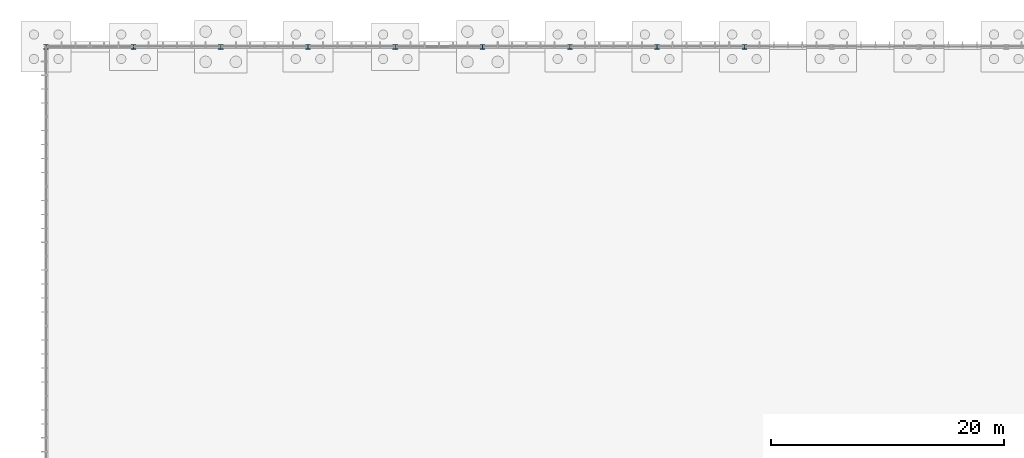
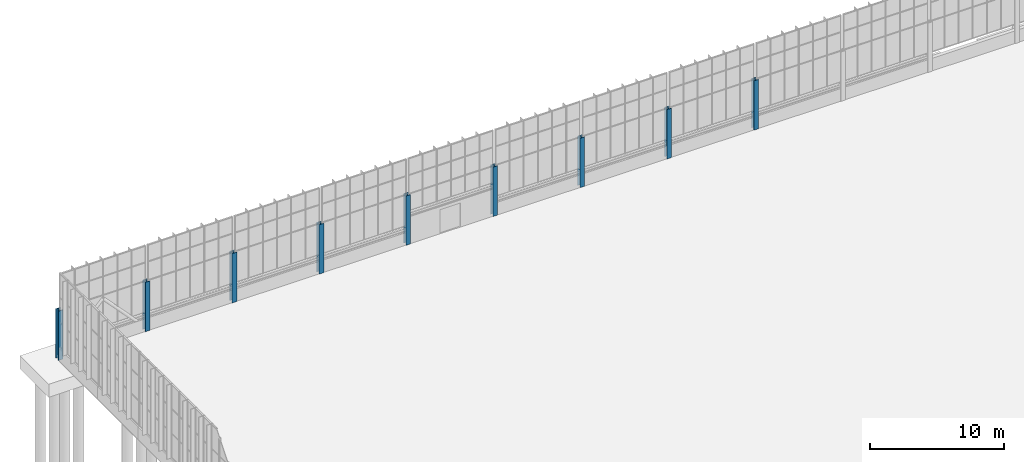
# One storey, part 17 of 136: 9 columns.
"""IFC4 building model written with IfcOpenShell, lengths in metres."""

from ifc_helpers import new_model, si_unit, direction, frame, origin, origin_2d, place, context, subcontext, project, spatial, i_section, extrude, material, material_profile, profile_set, type_object, element, save


model = new_model("IFC4")

# Units and contexts
model_context = context("Model", 3, precision=1e-05, world=origin(), true_north=direction((0.0, 1.0)))
body_context = subcontext(model_context, "Body", "Model", "MODEL_VIEW")
ifc_project = project(units=[si_unit("LENGTHUNIT", "METRE"), si_unit("AREAUNIT", "SQUARE_METRE"), si_unit("VOLUMEUNIT", "CUBIC_METRE"), si_unit("PLANEANGLEUNIT", "RADIAN"), si_unit("MASSUNIT", "GRAM", prefix="KILO")], contexts=[model_context])

# Site, building, storey
site_placement = place(None, origin())
site = spatial("IfcSite", under=ifc_project, at=site_placement, CompositionType="ELEMENT")
building_placement = place(site_placement, origin())
building = spatial("IfcBuilding", under=site, at=building_placement, Name="Solvenia Promenade Tram Depot", CompositionType="ELEMENT")
storey_placement = place(building_placement, origin())
storey = spatial("IfcBuildingStorey", under=building, at=storey_placement, Name="L00", CompositionType="ELEMENT", Elevation=0.0)

# Columns
ifc_material = material(Name="Structural steel ASTM A992 Gr. 50", Category="steel")
ifc_material_profile = material_profile(ifc_material, i_section(OverallWidth=0.39794921875, OverallDepth=0.386962890625, WebThickness=0.0244140625, FlangeThickness=0.03955078125, FilletRadius=0.01806640625, at=origin_2d()), Name="W360x262", Category="steel")
ifc_profile_set = profile_set([ifc_material_profile], Name="Structural steel ASTM A992 Gr. 50")
column_type = type_object("IfcColumnType", Name="Col-W360x262", PredefinedType="COLUMN", material=ifc_profile_set)
for number, where, z_axis, x_axis, name in (
    (1, (0.0, 126.0, 0.0), (0.0, 0.0, 1.0), (1.0, 0.0, 0.0), "Steel Column COL-L00-014"),
    (2, (7.5, 126.0, 0.0), (0.0, 0.0, 1.0), (1.0, 0.0, 0.0), "Steel Column COL-L00-032"),
    (3, (15.0, 126.0, 0.0), (0.0, 0.0, 1.0), (1.0, 0.0, 0.0), "Steel Column COL-L00-050"),
    (4, (22.5, 126.0, 0.0), (0.0, 0.0, 1.0), (1.0, 0.0, 0.0), "Steel Column COL-L00-068"),
    (5, (30.0, 126.0, 0.0), (0.0, 0.0, 1.0), (1.0, 0.0, 0.0), "Steel Column COL-L00-086"),
    (6, (37.5, 126.0, 0.0), (0.0, 0.0, 1.0), (1.0, 0.0, 0.0), "Steel Column COL-L00-104"),
    (7, (45.0, 126.0, 0.0), (0.0, 0.0, 1.0), (1.0, 0.0, 0.0), "Steel Column COL-L00-122"),
    (8, (52.5, 126.0, 0.0), (0.0, 0.0, 1.0), (1.0, 0.0, 0.0), "Steel Column COL-L00-136"),
    (9, (60.0, 126.0, 0.0), (0.0, 0.0, 1.0), (1.0, 0.0, 0.0), "Steel Column COL-L00-147"),
):
    element("IfcColumn", number, at=place(storey_placement, frame(where, z_axis=z_axis, x_axis=x_axis)), inside=storey, type_object=column_type, Name=name, PredefinedType="COLUMN", context=body_context, shape_type="SweptSolid", body=[
        extrude(i_section(OverallWidth=0.39794921875, OverallDepth=0.386962890625, WebThickness=0.0244140625, FlangeThickness=0.03955078125, FilletRadius=0.01806640625, at=origin_2d()), origin(), (0.0, 0.0, 1.0), 4.5),
    ])

save(model, "model.ifc")
